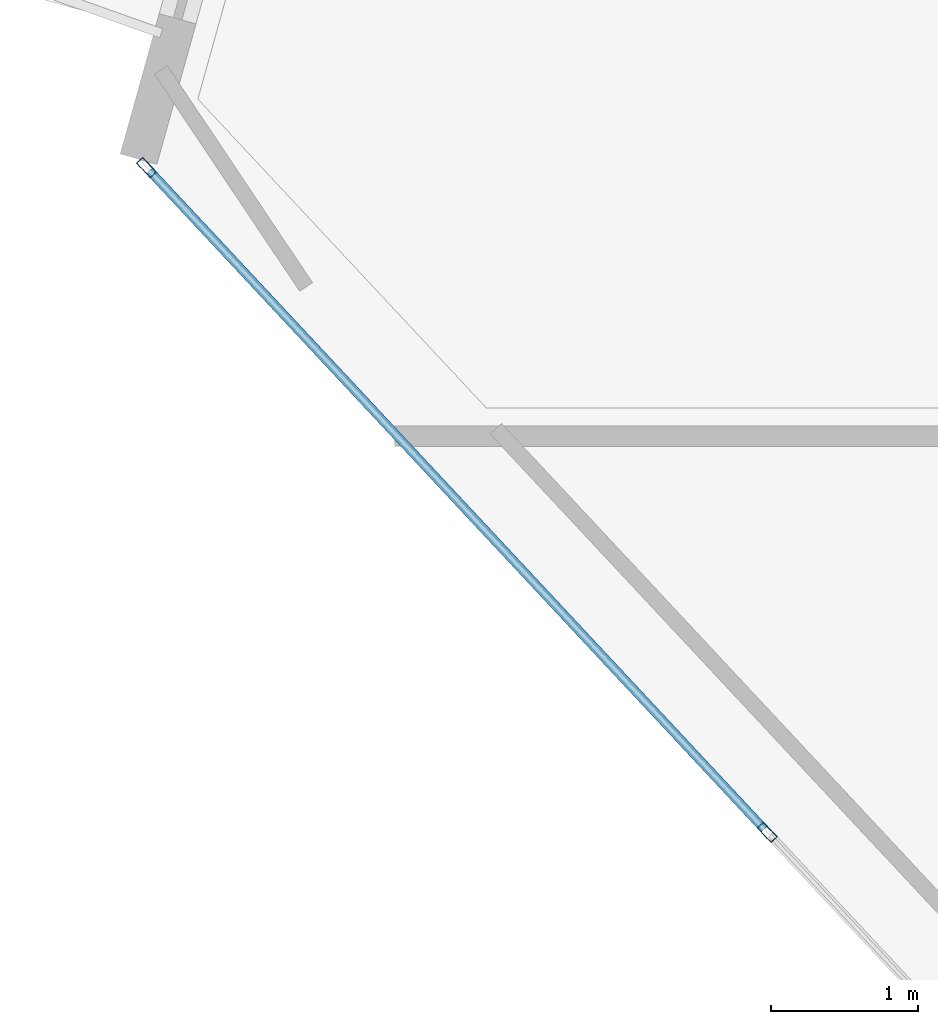
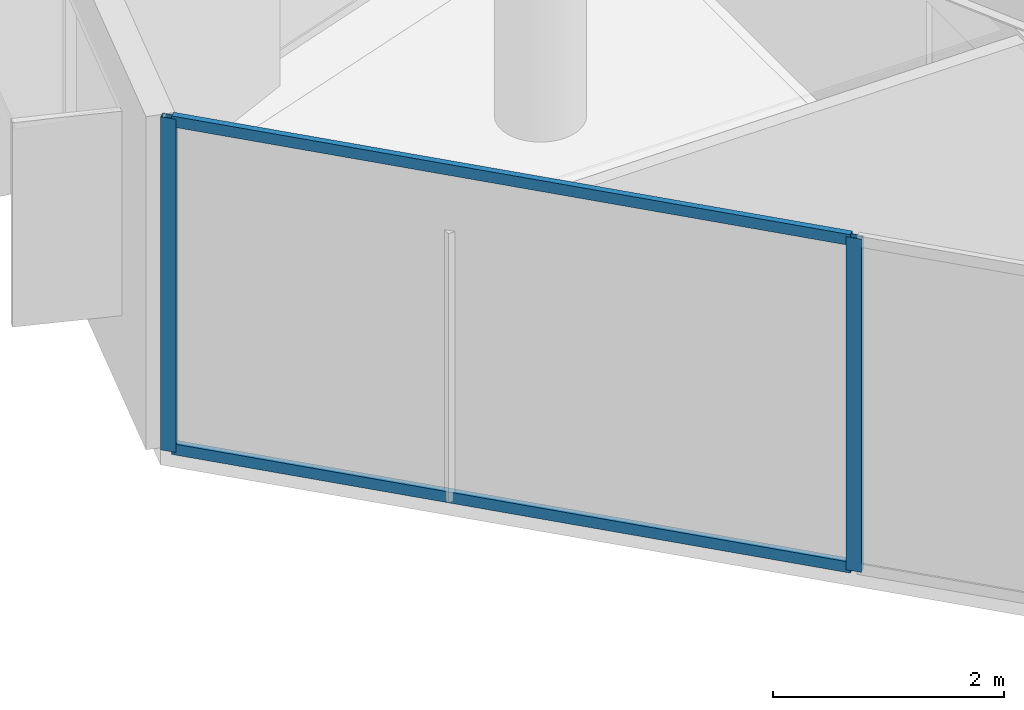
# One storey, part 7 of 19: 4 members, 1 element without a shape of its own.
"""IFC4 building model written with IfcOpenShell, lengths in metres."""

from ifc_helpers import new_model, si_unit, direction, frame, origin, origin_2d, place, context, subcontext, project, spatial, hollow_rectangle, extrude, material, layer, layer_set, material_profile, profile_set, type_object, element, aggregate, save


model = new_model("IFC4")

# Units and contexts
model_context = context("Model", 3, precision=1e-05, world=origin(), true_north=direction((0.0, 1.0)))
body_context = subcontext(model_context, "Body", "Model", "MODEL_VIEW")
ifc_project = project(units=[si_unit("LENGTHUNIT", "METRE"), si_unit("AREAUNIT", "SQUARE_METRE"), si_unit("VOLUMEUNIT", "CUBIC_METRE"), si_unit("PLANEANGLEUNIT", "RADIAN"), si_unit("MASSUNIT", "GRAM", prefix="KILO")], contexts=[model_context])

# Site, building, storey
site_placement = place(None, origin())
site = spatial("IfcSite", under=ifc_project, at=site_placement, CompositionType="ELEMENT")
building_placement = place(site_placement, origin())
building = spatial("IfcBuilding", under=site, at=building_placement, Name="Qianvela Tower", CompositionType="ELEMENT")
storey_placement = place(building_placement, frame((0.0, 0.0, 333.300048828125)))
storey = spatial("IfcBuildingStorey", under=building, at=storey_placement, Name="L86", CompositionType="ELEMENT", Elevation=333.300048828125)

# Curtain wall, members
ifc_material_1 = material(Name="Anodised Architectural Aluminium and Low-E Glass", Category="aluminium")
ifc_layer = layer(ifc_material_1, 0.14990234375)
ifc_layer_set = layer_set([ifc_layer], Name="Anodised Architectural Aluminium and Low-E Glass")
curtain_wall_type = type_object("IfcCurtainWallType", Name="CW-COLIV-Z78", PredefinedType="USERDEFINED", material=ifc_layer_set)
curtain_wall_placement = place(storey_placement, origin())
curtain_wall = element("IfcCurtainWall", 1, at=curtain_wall_placement, inside=storey, type_object=curtain_wall_type, Name="L86 CW-COLIV-Z78 Curtain Wall 04A", ObjectType="CURTAIN_WALL_SYSTEM", PredefinedType="USERDEFINED")
ifc_material_2 = material(Name="Anodised Architectural Aluminium 6063-T6", Category="aluminium")
ifc_material_profile_1 = material_profile(ifc_material_2, hollow_rectangle(XDim=0.06005859375, YDim=0.139892578125, WallThickness=0.00439453125, at=origin_2d()), Name="ALU-MULL-60x140")
ifc_profile_set_1 = profile_set([ifc_material_profile_1], Name="Anodised Architectural Aluminium 6063-T6")
member_type_1 = type_object("IfcMemberType", Name="CW-COLIV-Z78-MULL", PredefinedType="MULLION", material=ifc_profile_set_1)
member_1_placement = place(storey_placement, frame((18.115234375, 27.0595703125, 0.0), z_axis=(0.0, 0.0, 1.0), x_axis=(0.730878298483, 0.682507811535, 0.0)))
member_1 = element("IfcMember", 2, at=member_1_placement, type_object=member_type_1, Name="CW-6 mullion 1", PredefinedType="MULLION", context=body_context, shape_type="SweptSolid", body=[
    extrude(hollow_rectangle(XDim=0.06005859375, YDim=0.139892578125, WallThickness=0.00439453125, at=origin_2d()), origin(), (0.0, 0.0, 1.0), 3.52001953125),
])
member_2_placement = place(storey_placement, frame((22.346923828125, 22.528076171875, 0.0), z_axis=(0.0, 0.0, 1.0), x_axis=(0.730878298483, 0.682507811535, 0.0)))
member_2 = element("IfcMember", 3, at=member_2_placement, type_object=member_type_1, Name="CW-6 mullion 2", PredefinedType="MULLION", context=body_context, shape_type="SweptSolid", body=[
    extrude(hollow_rectangle(XDim=0.06005859375, YDim=0.139892578125, WallThickness=0.00439453125, at=origin_2d()), origin(), (0.0, 0.0, 1.0), 3.52001953125),
])
ifc_material_3 = material(Name="Anodised Architectural Aluminium 6063-T6", Category="aluminium")
ifc_material_profile_2 = material_profile(ifc_material_3, hollow_rectangle(XDim=0.06005859375, YDim=0.114990234375, WallThickness=0.00390625, at=origin_2d()), Name="ALU-TRAN-60x115")
ifc_profile_set_2 = profile_set([ifc_material_profile_2], Name="Anodised Architectural Aluminium 6063-T6")
member_type_2 = type_object("IfcMemberType", Name="CW-COLIV-Z78-TRAN", PredefinedType="USERDEFINED", material=ifc_profile_set_2)
member_3_placement = place(storey_placement, frame((18.1357421875, 27.03759765625, 0.030029296875), z_axis=(0.682498146014, -0.730887324208, 0.0), x_axis=(0.730887324208, 0.682498146014, 0.0)))
member_3 = element("IfcMember", 4, at=member_3_placement, type_object=member_type_2, Name="CW-6 transom 1.1", ObjectType="TRANSOM", PredefinedType="USERDEFINED", context=body_context, shape_type="SweptSolid", body=[
    extrude(hollow_rectangle(XDim=0.06005859375, YDim=0.114990234375, WallThickness=0.00390625, at=origin_2d()), origin(), (0.0, 0.0, 1.0), 6.14013671875),
])
member_4_placement = place(storey_placement, frame((18.1357421875, 27.03759765625, 3.489990234375), z_axis=(0.682498146014, -0.730887324208, 0.0), x_axis=(0.730887324208, 0.682498146014, 0.0)))
member_4 = element("IfcMember", 5, at=member_4_placement, type_object=member_type_2, Name="CW-6 transom 1.2", ObjectType="TRANSOM", PredefinedType="USERDEFINED", context=body_context, shape_type="SweptSolid", body=[
    extrude(hollow_rectangle(XDim=0.06005859375, YDim=0.114990234375, WallThickness=0.00390625, at=origin_2d()), origin(), (0.0, 0.0, 1.0), 6.14013671875),
])
aggregate(curtain_wall, [member_1, member_2, member_3, member_4])

save(model, "model.ifc")
